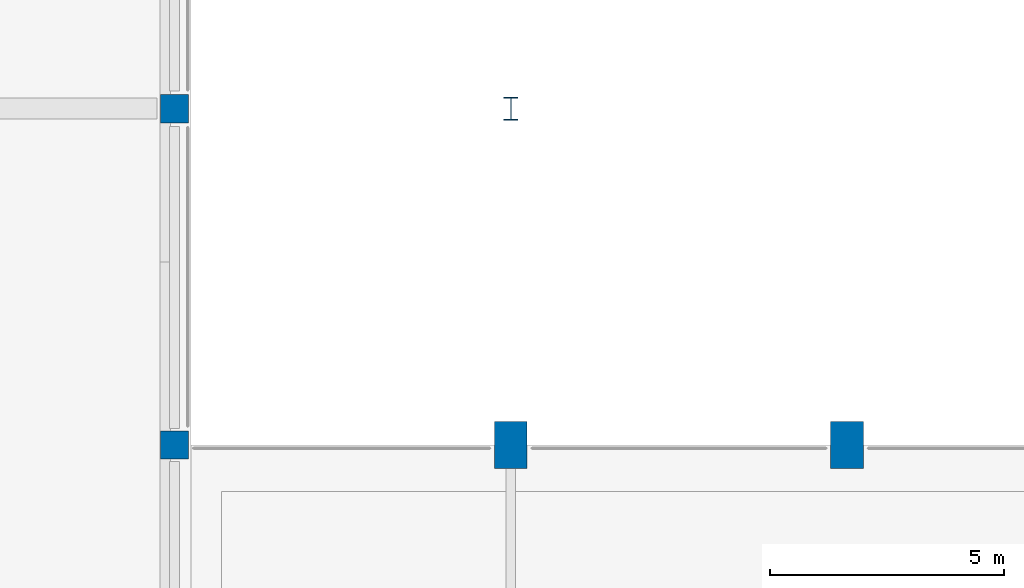
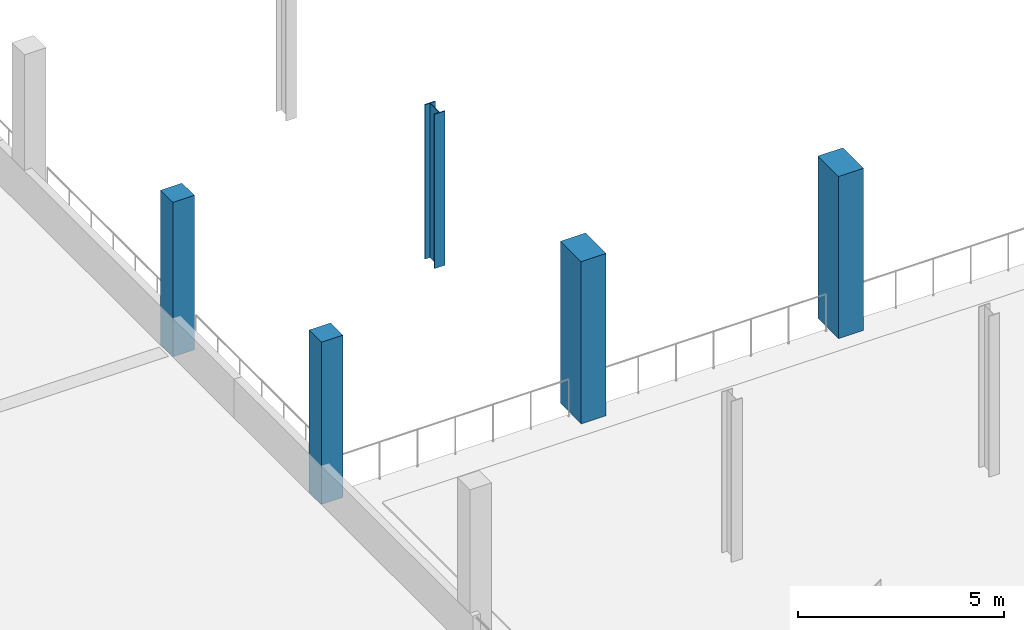
# One storey, part 6 of 82: 5 columns.
"""IFC4 building model written with IfcOpenShell, lengths in metres."""

import ifcopenshell
import ifcopenshell.guid

model = None  # the IFC model being written
_history = None  # IfcOwnerHistory: only IFC2X3 demands one
_inside = {}  # id of a spatial element -> (the spatial element, [elements in it])
_under = {}  # id of a project, library or spatial element -> (it, [spatial elements below it])
_declared = {}  # id of a project -> (the project, [libraries it declares])
_typed = {}  # id of a type object -> (the type object, [elements of that type])
_made_of = {}  # id of a material, layer set ... -> (it, [elements and type objects made of it])


def new_model(schema):
    """Start an empty IFC model of exactly this schema.

    Asked for "IFC4X3", IfcOpenShell would pick the latest addendum, in which some entities
    have other attributes; the version numbers below select the first issue.
    IFC2X3 requires an IfcOwnerHistory on every rooted entity: one is made here for all.
    """
    global model, _history
    if schema == "IFC4X3":
        model = ifcopenshell.file(schema_version=(4, 3, 0, 0))
    else:
        model = ifcopenshell.file(schema=schema)
    _inside.clear()
    _under.clear()
    _declared.clear()
    _typed.clear()
    _made_of.clear()
    _history = None
    if model.schema == "IFC2X3":
        org = make("IfcOrganization", Name="unknown")
        user = make(
            "IfcPersonAndOrganization",
            ThePerson=make("IfcPerson", FamilyName="unknown"),
            TheOrganization=org,
        )
        app = make(
            "IfcApplication",
            ApplicationDeveloper=org,
            Version="unknown",
            ApplicationFullName="unknown",
            ApplicationIdentifier="unknown",
        )
        _history = make(
            "IfcOwnerHistory",
            OwningUser=user,
            OwningApplication=app,
            ChangeAction="ADDED",
            CreationDate=0,
        )
    return model


def make(cls, **values):
    """One entity of the class cls with the attributes given. An attribute that is None is left unset."""
    return model.create_entity(
        cls, **{name: value for name, value in values.items() if value is not None}
    )


def rooted(cls, **values):
    """An entity with a GlobalId (a new one), such as an element, a storey or a relation."""
    return make(cls, GlobalId=ifcopenshell.guid.new(), OwnerHistory=_history, **values)


def si_unit(unit_type, name, prefix=None):
    """IfcSIUnit, for example si_unit("LENGTHUNIT", "METRE", prefix="MILLI")."""
    return make("IfcSIUnit", UnitType=unit_type, Prefix=prefix, Name=name)


def assignment(units):
    """IfcUnitAssignment: the units of a project."""
    return None if units is None else make("IfcUnitAssignment", Units=units)


def point(xyz):
    """IfcCartesianPoint."""
    return None if xyz is None else make("IfcCartesianPoint", Coordinates=xyz)


def direction(xyz):
    """IfcDirection."""
    return None if xyz is None else make("IfcDirection", DirectionRatios=xyz)


def frame(location, z_axis=None, x_axis=None):
    """IfcAxis2Placement3D, a coordinate frame: its origin and axes. An axis left out is left unset."""
    return make(
        "IfcAxis2Placement3D",
        Location=point(location),
        Axis=direction(z_axis),
        RefDirection=direction(x_axis),
    )


def frame_2d(location, x_axis=None):
    """IfcAxis2Placement2D, a coordinate frame in the plane: its origin and x axis."""
    return make(
        "IfcAxis2Placement2D", Location=point(location), RefDirection=direction(x_axis)
    )


def origin():
    """The frame at (0, 0, 0) with its axes left unset."""
    return frame((0.0, 0.0, 0.0))


def origin_2d():
    """The frame at (0, 0) in the plane with its x axis left unset."""
    return frame_2d((0.0, 0.0))


def place(relative_to, where):
    """IfcLocalPlacement: puts the frame where relative to a parent placement (None: the world)."""
    return make(
        "IfcLocalPlacement", PlacementRelTo=relative_to, RelativePlacement=where
    )


def context(
    kind, dimensions, precision=None, world=None, true_north=None, identifier=None
):
    """IfcGeometricRepresentationContext, for example the 3D "Model" context."""
    return make(
        "IfcGeometricRepresentationContext",
        ContextIdentifier=identifier,
        ContextType=kind,
        CoordinateSpaceDimension=dimensions,
        Precision=precision,
        WorldCoordinateSystem=world,
        TrueNorth=true_north,
    )


def subcontext(parent, identifier, kind, view, scale=None):
    """IfcGeometricRepresentationSubContext, for example "Body" below "Model"."""
    return make(
        "IfcGeometricRepresentationSubContext",
        ContextIdentifier=identifier,
        ContextType=kind,
        ParentContext=parent,
        TargetScale=scale,
        TargetView=view,
    )


def project(units=None, contexts=None):
    """IfcProject with its units and contexts."""
    return rooted(
        "IfcProject",
        Name="project",
        RepresentationContexts=contexts,
        UnitsInContext=assignment(units),
    )


def spatial(cls, under=None, at=None, **own):
    """A site, building, storey or space (cls), placed at a placement, below another one or the project."""
    s = rooted(cls, ObjectPlacement=at, **own)
    if under is not None:
        _under.setdefault(under.id(), (under, []))[1].append(s)
    return s


def profile(cls, at=None, kind="AREA", **sizes):
    """A parametric profile (cls). Its sizes go by their IFC names, for example OverallWidth=200.0."""
    return make(cls, ProfileType=kind, Position=at, **sizes)


def rectangle(**sizes):
    """IfcRectangleProfileDef."""
    return profile("IfcRectangleProfileDef", **sizes)


def i_section(**sizes):
    """IfcIShapeProfileDef."""
    return profile("IfcIShapeProfileDef", **sizes)


def extrude(swept, where, along, depth):
    """IfcExtrudedAreaSolid: the profile swept, set in the frame where, extruded along a direction by depth."""
    return make(
        "IfcExtrudedAreaSolid",
        SweptArea=swept,
        Position=where,
        ExtrudedDirection=direction(along),
        Depth=depth,
    )


def shape(context_of_items, identifier, shape_type, items):
    """IfcShapeRepresentation: the items that make up one representation, for example the "Body"."""
    return make(
        "IfcShapeRepresentation",
        ContextOfItems=context_of_items,
        RepresentationIdentifier=identifier,
        RepresentationType=shape_type,
        Items=items,
    )


def material(Name=None, Category=None):
    """IfcMaterial."""
    return make("IfcMaterial", Name=Name, Category=Category)


def material_profile(
    of_material, cross_section, Name=None, Category=None, Priority=None
):
    """IfcMaterialProfile: a cross section and its material."""
    return make(
        "IfcMaterialProfile",
        Name=Name,
        Material=of_material,
        Profile=cross_section,
        Priority=Priority,
        Category=Category,
    )


def profile_set(profiles, Name=None, composite=None):
    """IfcMaterialProfileSet."""
    return make(
        "IfcMaterialProfileSet",
        Name=Name,
        MaterialProfiles=profiles,
        CompositeProfile=composite,
    )


def made_of(thing, what):
    """Note that an element or type object is made of a material, layer set ...; save() writes the relation."""
    if what is not None:
        _made_of.setdefault(what.id(), (what, []))[1].append(thing)
    return thing


def type_object(cls, material=None, **own):
    """A type object (cls), such as IfcWallType, which elements share."""
    return made_of(rooted(cls, **own), material)


def element(
    cls,
    number,
    at=None,
    inside=None,
    cuts=None,
    type_object=None,
    material=None,
    context=None,
    identifier="Body",
    shape_type=None,
    held_by="IfcProductDefinitionShape",
    body=None,
    shapes=None,
    **own,
):
    """One element of the class cls, such as IfcWall. Its Tag is "e" and its number.

    at: its placement. inside: the storey or other place that contains it. cuts: it is an
    opening in that element (IfcRelVoidsElement). A single representation is given by context,
    identifier, shape_type and body (its items); several are given by shapes. held_by: the class
    of the entity that holds the representations. save() writes the other relations.
    """
    e = rooted(cls, Tag="e%d" % number, ObjectPlacement=at, **own)
    if body is not None:
        shapes = [shape(context, identifier, shape_type, body)]
    if shapes is not None:
        e.Representation = make(held_by, Representations=shapes)
    if inside is not None:
        _inside.setdefault(inside.id(), (inside, []))[1].append(e)
    if cuts is not None:
        rooted(
            "IfcRelVoidsElement", RelatingBuildingElement=cuts, RelatedOpeningElement=e
        )
    if type_object is not None:
        _typed.setdefault(type_object.id(), (type_object, []))[1].append(e)
    return made_of(e, material)


def aggregate(whole, parts):
    """IfcRelAggregates: a whole, such as a stair, and the parts it consists of."""
    return rooted("IfcRelAggregates", RelatingObject=whole, RelatedObjects=parts)


def save(model, path):
    """Write the relations noted so far, then the file.

    IfcRelAggregates (storeys below a building ...), IfcRelContainedInSpatialStructure (elements
    in a storey), IfcRelDefinesByType, IfcRelAssociatesMaterial and IfcRelDeclares: one each for
    every whole, place, type object, material and project.
    """
    for whole, parts in _under.values():
        aggregate(whole, parts)
    for where, things in _inside.values():
        rooted(
            "IfcRelContainedInSpatialStructure",
            RelatedElements=things,
            RelatingStructure=where,
        )
    for kind, things in _typed.values():
        rooted("IfcRelDefinesByType", RelatedObjects=things, RelatingType=kind)
    for what, things in _made_of.values():
        rooted("IfcRelAssociatesMaterial", RelatedObjects=things, RelatingMaterial=what)
    for by, libraries in _declared.values():
        rooted("IfcRelDeclares", RelatingContext=by, RelatedDefinitions=libraries)
    model.write(path)


model = new_model("IFC4")

# Units and contexts
model_context = context("Model", 3, precision=1e-05, world=origin(), true_north=direction((0.0, 1.0)))
body_context = subcontext(model_context, "Body", "Model", "MODEL_VIEW")
ifc_project = project(units=[si_unit("LENGTHUNIT", "METRE"), si_unit("AREAUNIT", "SQUARE_METRE"), si_unit("VOLUMEUNIT", "CUBIC_METRE"), si_unit("PLANEANGLEUNIT", "RADIAN"), si_unit("MASSUNIT", "GRAM", prefix="KILO")], contexts=[model_context])

# Site, building, storey
site_placement = place(None, origin())
site = spatial("IfcSite", under=ifc_project, at=site_placement, CompositionType="ELEMENT")
building_placement = place(site_placement, origin())
building = spatial("IfcBuilding", under=site, at=building_placement, Name="Sardonyx Promenade Sports Hall", CompositionType="ELEMENT")
storey_placement = place(building_placement, frame((0.0, 0.0, 11.199951171875)))
storey = spatial("IfcBuildingStorey", under=building, at=storey_placement, Name="L02", CompositionType="ELEMENT", Elevation=11.199951171875)

# Columns
ifc_material_1 = material(Name="Concrete C40/50", Category="concrete")
ifc_material_profile_1 = material_profile(ifc_material_1, rectangle(XDim=0.60009765625, YDim=0.60009765625, at=origin_2d()))
ifc_profile_set_1 = profile_set([ifc_material_profile_1], Name="Concrete C40/50")
column_type_1 = type_object("IfcColumnType", Name="Col_Ext_RC600", PredefinedType="COLUMN", material=ifc_profile_set_1)
column_1_placement = place(storey_placement, frame((108.0, 50.39990234375, 0.0), z_axis=(0.0, 0.0, 1.0), x_axis=(1.0, 0.0, 0.0)))
element("IfcColumn", 1, at=column_1_placement, inside=storey, type_object=column_type_1, Name="Column CE11 L02 (108.0,50.4)", PredefinedType="COLUMN", context=body_context, shape_type="SweptSolid", body=[
    extrude(rectangle(XDim=0.60009765625, YDim=0.60009765625, at=origin_2d()), origin(), (0.0, 0.0, 1.0), 4.800048828125),
])
column_2_placement = place(storey_placement, frame((108.0, 57.60009765625, 0.0), z_axis=(0.0, 0.0, 1.0), x_axis=(1.0, 0.0, 0.0)))
element("IfcColumn", 2, at=column_2_placement, inside=storey, type_object=column_type_1, Name="Column CE11 L02 (108.0,57.6)", PredefinedType="COLUMN", context=body_context, shape_type="SweptSolid", body=[
    extrude(rectangle(XDim=0.60009765625, YDim=0.60009765625, at=origin_2d()), origin(), (0.0, 0.0, 1.0), 4.570068359375),
])
ifc_material_2 = material(Name="Concrete C50/60", Category="concrete")
ifc_material_profile_2 = material_profile(ifc_material_2, rectangle(XDim=0.699951171875, YDim=1.0, at=origin_2d()))
ifc_profile_set_2 = profile_set([ifc_material_profile_2], Name="Concrete C50/60")
column_type_2 = type_object("IfcColumnType", Name="Col_Ext_RC700x1000", PredefinedType="COLUMN", material=ifc_profile_set_2)
for number, where, z_axis, x_axis, name in (
    (3, (115.199951171875, 50.39990234375, 0.0), (0.0, 0.0, 1.0), (1.0, 0.0, 0.0), "Column CE02 L02 (115.2,50.4)"),
    (4, (122.39990234375, 50.39990234375, 0.0), (0.0, 0.0, 1.0), (1.0, 0.0, 0.0), "Column CE02 L02 (122.4,50.4)"),
):
    element("IfcColumn", number, at=place(storey_placement, frame(where, z_axis=z_axis, x_axis=x_axis)), inside=storey, type_object=column_type_2, Name=name, PredefinedType="COLUMN", context=body_context, shape_type="SweptSolid", body=[
        extrude(rectangle(XDim=0.699951171875, YDim=1.0, at=origin_2d()), origin(), (0.0, 0.0, 1.0), 4.800048828125),
    ])
ifc_material_3 = material(Name="Steel S355JR", Category="steel")
ifc_material_profile_3 = material_profile(ifc_material_3, i_section(OverallWidth=0.300048828125, OverallDepth=0.489990234375, WebThickness=0.011962890625, FlangeThickness=0.02294921875, at=origin_2d()))
ifc_profile_set_3 = profile_set([ifc_material_profile_3], Name="Steel S355JR")
column_type_3 = type_object("IfcColumnType", Name="Col_Int_HEA500", PredefinedType="COLUMN", material=ifc_profile_set_3)
column_3_placement = place(storey_placement, frame((115.199951171875, 57.60009765625, 0.0), z_axis=(0.0, 0.0, 1.0), x_axis=(1.0, 0.0, 0.0)))
element("IfcColumn", 5, at=column_3_placement, inside=storey, type_object=column_type_3, Name="Column CI08 L02 (115.2,57.6)", PredefinedType="COLUMN", context=body_context, shape_type="SweptSolid", body=[
    extrude(i_section(OverallWidth=0.300048828125, OverallDepth=0.489990234375, WebThickness=0.011962890625, FlangeThickness=0.02294921875, at=origin_2d()), origin(), (0.0, 0.0, 1.0), 4.570068359375),
])

save(model, "model.ifc")
